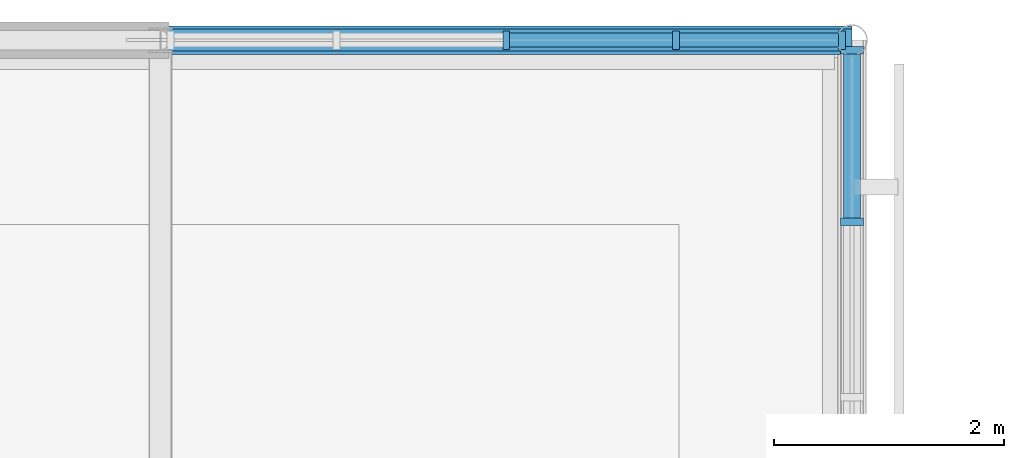
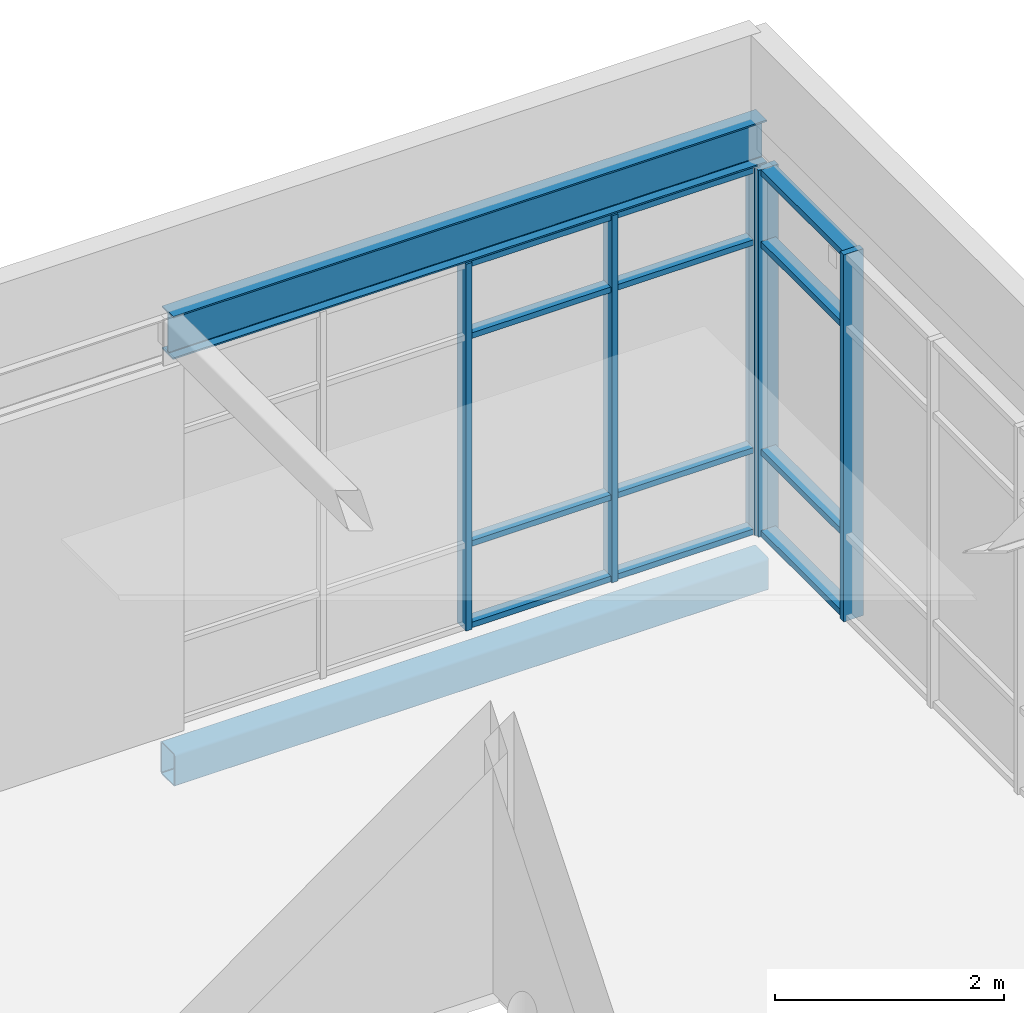
# One storey, part 10 of 16: 17 members, 2 beams, 2 elements without a shape of their own.
"""IFC4 building model written with IfcOpenShell, lengths in metres."""

from ifc_helpers import new_model, si_unit, direction, frame, origin, origin_2d, place, context, subcontext, project, spatial, rectangle, hollow_rectangle, i_section, extrude, material, layer, layer_set, material_profile, profile_set, type_object, element, aggregate, save


model = new_model("IFC4")

# Units and contexts
model_context = context("Model", 3, precision=1e-05, world=origin(), true_north=direction((0.0, 1.0)))
body_context = subcontext(model_context, "Body", "Model", "MODEL_VIEW")
ifc_project = project(units=[si_unit("LENGTHUNIT", "METRE"), si_unit("AREAUNIT", "SQUARE_METRE"), si_unit("VOLUMEUNIT", "CUBIC_METRE"), si_unit("PLANEANGLEUNIT", "RADIAN"), si_unit("MASSUNIT", "GRAM", prefix="KILO")], contexts=[model_context])

# Site, building, storey
site_placement = place(None, origin())
site = spatial("IfcSite", under=ifc_project, at=site_placement, CompositionType="ELEMENT")
building_placement = place(site_placement, origin())
building = spatial("IfcBuilding", under=site, at=building_placement, Name="Mirzam Square Science Centre", CompositionType="ELEMENT")
storey_placement = place(building_placement, frame((0.0, 0.0, 25.199951171875)))
storey = spatial("IfcBuildingStorey", under=building, at=storey_placement, Name="L05", CompositionType="ELEMENT", Elevation=25.199951171875)

# Beam
ifc_material_1 = material(Name="Steel S355", Category="steel")
ifc_material_profile_1 = material_profile(ifc_material_1, i_section(OverallWidth=0.19140625, OverallDepth=0.4599609375, WebThickness=0.010009765625, FlangeThickness=0.01611328125, FilletRadius=0.01025390625, at=origin_2d()), Name="457x191x82UB")
ifc_profile_set_1 = profile_set([ifc_material_profile_1], Name="Steel S355")
beam_type_1 = type_object("IfcBeamType", Name="BM-UB457", PredefinedType="BEAM", material=ifc_profile_set_1)
beam_1_placement = place(storey_placement, frame((132.0, 111.60009765625, 4.179931640625), z_axis=(1.0, 0.0, 0.0), x_axis=(0.0, 1.0, 0.0)))
element("IfcBeam", 1, at=beam_1_placement, inside=storey, type_object=beam_type_1, Name="Observatory roof beam 23-19", PredefinedType="BEAM", context=body_context, shape_type="SweptSolid", body=[
    extrude(i_section(OverallWidth=0.19140625, OverallDepth=0.4599609375, WebThickness=0.010009765625, FlangeThickness=0.01611328125, FilletRadius=0.01025390625, at=origin_2d()), origin(), (0.0, 0.0, 1.0), 6.0),
])

# Curtain wall, members
ifc_material_2 = material(Name="Anodised Aluminium and Low-E Solar Glass", Category="aluminium")
ifc_layer_1 = layer(ifc_material_2, 0.159912109375)
ifc_layer_set_1 = layer_set([ifc_layer_1], Name="CW-COURT-B")
curtain_wall_type_1 = type_object("IfcCurtainWallType", Name="CW-COURT-B", PredefinedType="USERDEFINED", material=ifc_layer_set_1)
curtain_wall_1_placement = place(storey_placement, origin())
curtain_wall_1 = element("IfcCurtainWall", 2, at=curtain_wall_1_placement, inside=storey, type_object=curtain_wall_type_1, Name="L05 unitised curtain wall 170", ObjectType="UNITISED CURTAIN WALL", PredefinedType="USERDEFINED")
ifc_material_3 = material(Name="Anodised Architectural Aluminium 6063-T6", Category="aluminium")
ifc_material_profile_2 = material_profile(ifc_material_3, rectangle(XDim=0.06005859375, YDim=0.159912109375, at=origin_2d()), Name="ALU-MULL-160x60x4")
ifc_profile_set_2 = profile_set([ifc_material_profile_2], Name="Anodised Architectural Aluminium 6063-T6")
member_type_1 = type_object("IfcMemberType", Name="CWM-160", PredefinedType="MULLION", material=ifc_profile_set_2)
member_1_placement = place(storey_placement, frame((137.9150390625, 111.60009765625, 0.0), z_axis=(0.0, 0.0, 1.0), x_axis=(-1.0, 0.0, 0.0)))
member_1 = element("IfcMember", 3, at=member_1_placement, type_object=member_type_1, Name="CW-04 mullion 1", PredefinedType="MULLION", context=body_context, shape_type="SweptSolid", body=[
    extrude(rectangle(XDim=0.06005859375, YDim=0.159912109375, at=origin_2d()), origin(), (0.0, 0.0, 1.0), 3.920166015625),
])
member_2_placement = place(storey_placement, frame((136.472412109375, 111.60009765625, 0.0), z_axis=(0.0, 0.0, 1.0), x_axis=(-1.0, 0.0, 0.0)))
member_2 = element("IfcMember", 4, at=member_2_placement, type_object=member_type_1, Name="CW-04 mullion 2", PredefinedType="MULLION", context=body_context, shape_type="SweptSolid", body=[
    extrude(rectangle(XDim=0.06005859375, YDim=0.159912109375, at=origin_2d()), origin(), (0.0, 0.0, 1.0), 3.920166015625),
])
member_3_placement = place(storey_placement, frame((135.0, 111.60009765625, 0.0), z_axis=(0.0, 0.0, 1.0), x_axis=(-1.0, 0.0, 0.0)))
member_3 = element("IfcMember", 5, at=member_3_placement, type_object=member_type_1, Name="CW-04 mullion 3", PredefinedType="MULLION", context=body_context, shape_type="SweptSolid", body=[
    extrude(rectangle(XDim=0.06005859375, YDim=0.159912109375, at=origin_2d()), origin(), (0.0, 0.0, 1.0), 3.920166015625),
])

ifc_layer_2 = layer(ifc_material_2, 0.179931640625)
ifc_layer_set_2 = layer_set([ifc_layer_2], Name="CW-LINK-A")
curtain_wall_type_2 = type_object("IfcCurtainWallType", Name="CW-LINK-A", PredefinedType="USERDEFINED", material=ifc_layer_set_2)
curtain_wall_2_placement = place(storey_placement, origin())
curtain_wall_2 = element("IfcCurtainWall", 6, at=curtain_wall_2_placement, inside=storey, type_object=curtain_wall_type_2, Name="L05 unitised curtain wall 169", ObjectType="UNITISED CURTAIN WALL", PredefinedType="USERDEFINED")
ifc_material_profile_3 = material_profile(ifc_material_3, rectangle(XDim=0.06494140625, YDim=0.199951171875, at=origin_2d()), Name="ALU-MULL-200x65x5")
ifc_profile_set_3 = profile_set([ifc_material_profile_3], Name="Anodised Architectural Aluminium 6063-T6")
member_type_2 = type_object("IfcMemberType", Name="CWM-200", PredefinedType="MULLION", material=ifc_profile_set_3)
member_4_placement = place(storey_placement, frame((138.0, 110.0224609375, 0.0), z_axis=(0.0, 0.0, 1.0), x_axis=(0.0, 1.0, 0.0)))
member_4 = element("IfcMember", 7, at=member_4_placement, type_object=member_type_2, Name="CW-08 mullion 4", PredefinedType="MULLION", context=body_context, shape_type="SweptSolid", body=[
    extrude(rectangle(XDim=0.06494140625, YDim=0.199951171875, at=origin_2d()), origin(), (0.0, 0.0, 1.0), 3.920166015625),
])
member_5_placement = place(storey_placement, frame((138.0, 111.512451171875, 0.0), z_axis=(0.0, 0.0, 1.0), x_axis=(0.0, 1.0, 0.0)))
member_5 = element("IfcMember", 8, at=member_5_placement, type_object=member_type_2, Name="CW-08 mullion 5", PredefinedType="MULLION", context=body_context, shape_type="SweptSolid", body=[
    extrude(rectangle(XDim=0.06494140625, YDim=0.199951171875, at=origin_2d()), origin(), (0.0, 0.0, 1.0), 3.920166015625),
])

# Member
ifc_material_profile_4 = material_profile(ifc_material_3, rectangle(XDim=0.1201171875, YDim=0.06005859375, at=origin_2d()), Name="ALU-TRAN-120x60x4")
ifc_profile_set_4 = profile_set([ifc_material_profile_4], Name="Anodised Architectural Aluminium 6063-T6")
member_type_3 = type_object("IfcMemberType", Name="CWT-120", PredefinedType="USERDEFINED", material=ifc_profile_set_4)
member_6_placement = place(storey_placement, frame((137.885009765625, 111.60009765625, 0.030029296875), z_axis=(-1.0, 0.0, 0.0), x_axis=(0.0, -1.0, 0.0)))
member_6 = element("IfcMember", 9, at=member_6_placement, type_object=member_type_3, Name="CW-04 transom 1.1", ObjectType="TRANSOM", PredefinedType="USERDEFINED", context=body_context, shape_type="SweptSolid", body=[
    extrude(rectangle(XDim=0.1201171875, YDim=0.06005859375, at=origin_2d()), origin(), (0.0, 0.0, 1.0), 1.382568359375),
])

member_7_placement = place(storey_placement, frame((137.885009765625, 111.60009765625, 0.900146484375), z_axis=(-1.0, 0.0, 0.0), x_axis=(0.0, -1.0, 0.0)))
member_7 = element("IfcMember", 10, at=member_7_placement, type_object=member_type_3, Name="CW-04 transom 1.2", ObjectType="TRANSOM", PredefinedType="USERDEFINED", context=body_context, shape_type="SweptSolid", body=[
    extrude(rectangle(XDim=0.1201171875, YDim=0.06005859375, at=origin_2d()), origin(), (0.0, 0.0, 1.0), 1.382568359375),
])

member_8_placement = place(storey_placement, frame((137.885009765625, 111.60009765625, 3.1201171875), z_axis=(-1.0, 0.0, 0.0), x_axis=(0.0, -1.0, 0.0)))
member_8 = element("IfcMember", 11, at=member_8_placement, type_object=member_type_3, Name="CW-04 transom 1.3", ObjectType="TRANSOM", PredefinedType="USERDEFINED", context=body_context, shape_type="SweptSolid", body=[
    extrude(rectangle(XDim=0.1201171875, YDim=0.06005859375, at=origin_2d()), origin(), (0.0, 0.0, 1.0), 1.382568359375),
])

member_9_placement = place(storey_placement, frame((137.885009765625, 111.60009765625, 3.89013671875), z_axis=(-1.0, 0.0, 0.0), x_axis=(0.0, -1.0, 0.0)))
member_9 = element("IfcMember", 12, at=member_9_placement, type_object=member_type_3, Name="CW-04 transom 1.4", ObjectType="TRANSOM", PredefinedType="USERDEFINED", context=body_context, shape_type="SweptSolid", body=[
    extrude(rectangle(XDim=0.1201171875, YDim=0.06005859375, at=origin_2d()), origin(), (0.0, 0.0, 1.0), 1.382568359375),
])

member_10_placement = place(storey_placement, frame((136.4423828125, 111.60009765625, 0.030029296875), z_axis=(-1.0, 0.0, 0.0), x_axis=(0.0, -1.0, 0.0)))
member_10 = element("IfcMember", 13, at=member_10_placement, type_object=member_type_3, Name="CW-04 transom 2.1", ObjectType="TRANSOM", PredefinedType="USERDEFINED", context=body_context, shape_type="SweptSolid", body=[
    extrude(rectangle(XDim=0.1201171875, YDim=0.06005859375, at=origin_2d()), origin(), (0.0, 0.0, 1.0), 1.412353515625),
])

member_11_placement = place(storey_placement, frame((136.4423828125, 111.60009765625, 0.900146484375), z_axis=(-1.0, 0.0, 0.0), x_axis=(0.0, -1.0, 0.0)))
member_11 = element("IfcMember", 14, at=member_11_placement, type_object=member_type_3, Name="CW-04 transom 2.2", ObjectType="TRANSOM", PredefinedType="USERDEFINED", context=body_context, shape_type="SweptSolid", body=[
    extrude(rectangle(XDim=0.1201171875, YDim=0.06005859375, at=origin_2d()), origin(), (0.0, 0.0, 1.0), 1.412353515625),
])

member_12_placement = place(storey_placement, frame((136.4423828125, 111.60009765625, 3.1201171875), z_axis=(-1.0, 0.0, 0.0), x_axis=(0.0, -1.0, 0.0)))
member_12 = element("IfcMember", 15, at=member_12_placement, type_object=member_type_3, Name="CW-04 transom 2.3", ObjectType="TRANSOM", PredefinedType="USERDEFINED", context=body_context, shape_type="SweptSolid", body=[
    extrude(rectangle(XDim=0.1201171875, YDim=0.06005859375, at=origin_2d()), origin(), (0.0, 0.0, 1.0), 1.412353515625),
])

member_13_placement = place(storey_placement, frame((136.4423828125, 111.60009765625, 3.89013671875), z_axis=(-1.0, 0.0, 0.0), x_axis=(0.0, -1.0, 0.0)))
member_13 = element("IfcMember", 16, at=member_13_placement, type_object=member_type_3, Name="CW-04 transom 2.4", ObjectType="TRANSOM", PredefinedType="USERDEFINED", context=body_context, shape_type="SweptSolid", body=[
    extrude(rectangle(XDim=0.1201171875, YDim=0.06005859375, at=origin_2d()), origin(), (0.0, 0.0, 1.0), 1.412353515625),
])

aggregate(curtain_wall_1, [member_1, member_2, member_3, member_6, member_7, member_8, member_9, member_10, member_11, member_12, member_13])

ifc_material_profile_5 = material_profile(ifc_material_3, rectangle(XDim=0.14990234375, YDim=0.06494140625, at=origin_2d()), Name="ALU-TRAN-150x65x4")
ifc_profile_set_5 = profile_set([ifc_material_profile_5], Name="Anodised Architectural Aluminium 6063-T6")
member_type_4 = type_object("IfcMemberType", Name="CWT-150", PredefinedType="USERDEFINED", material=ifc_profile_set_5)
member_14_placement = place(storey_placement, frame((138.0, 110.054931640625, 0.032470703125), z_axis=(0.0, 1.0, 0.0), x_axis=(-1.0, 0.0, 0.0)))
member_14 = element("IfcMember", 17, at=member_14_placement, type_object=member_type_4, Name="CW-08 transom 4.1", ObjectType="TRANSOM", PredefinedType="USERDEFINED", context=body_context, shape_type="SweptSolid", body=[
    extrude(rectangle(XDim=0.14990234375, YDim=0.06494140625, at=origin_2d()), origin(), (0.0, 0.0, 1.0), 1.425048828125),
])

member_15_placement = place(storey_placement, frame((138.0, 110.054931640625, 0.900146484375), z_axis=(0.0, 1.0, 0.0), x_axis=(-1.0, 0.0, 0.0)))
member_15 = element("IfcMember", 18, at=member_15_placement, type_object=member_type_4, Name="CW-08 transom 4.2", ObjectType="TRANSOM", PredefinedType="USERDEFINED", context=body_context, shape_type="SweptSolid", body=[
    extrude(rectangle(XDim=0.14990234375, YDim=0.06494140625, at=origin_2d()), origin(), (0.0, 0.0, 1.0), 1.425048828125),
])

member_16_placement = place(storey_placement, frame((138.0, 110.054931640625, 3.1201171875), z_axis=(0.0, 1.0, 0.0), x_axis=(-1.0, 0.0, 0.0)))
member_16 = element("IfcMember", 19, at=member_16_placement, type_object=member_type_4, Name="CW-08 transom 4.3", ObjectType="TRANSOM", PredefinedType="USERDEFINED", context=body_context, shape_type="SweptSolid", body=[
    extrude(rectangle(XDim=0.14990234375, YDim=0.06494140625, at=origin_2d()), origin(), (0.0, 0.0, 1.0), 1.425048828125),
])

member_17_placement = place(storey_placement, frame((138.0, 110.054931640625, 3.887451171875), z_axis=(0.0, 1.0, 0.0), x_axis=(-1.0, 0.0, 0.0)))
member_17 = element("IfcMember", 20, at=member_17_placement, type_object=member_type_4, Name="CW-08 transom 4.4", ObjectType="TRANSOM", PredefinedType="USERDEFINED", context=body_context, shape_type="SweptSolid", body=[
    extrude(rectangle(XDim=0.14990234375, YDim=0.06494140625, at=origin_2d()), origin(), (0.0, 0.0, 1.0), 1.425048828125),
])

aggregate(curtain_wall_2, [member_4, member_5, member_14, member_15, member_16, member_17])

# Beam
ifc_material_profile_6 = material_profile(ifc_material_1, hollow_rectangle(XDim=0.25, YDim=0.35009765625, WallThickness=0.012451171875, InnerFilletRadius=0.012451171875, OuterFilletRadius=0.02490234375, at=origin_2d()), Name="350x250x12.5RHS")
ifc_profile_set_6 = profile_set([ifc_material_profile_6], Name="Steel S355")
beam_type_2 = type_object("IfcBeamType", Name="SP-RHS350", PredefinedType="SPANDREL", material=ifc_profile_set_6)
beam_2_placement = place(storey_placement, frame((132.0, 111.60009765625, -0.425048828125), z_axis=(1.0, 0.0, 0.0), x_axis=(0.0, 1.0, 0.0)))
element("IfcBeam", 21, at=beam_2_placement, inside=storey, type_object=beam_type_2, Name="L05 girder X23-19", PredefinedType="SPANDREL", context=body_context, shape_type="SweptSolid", body=[
    extrude(hollow_rectangle(XDim=0.25, YDim=0.35009765625, WallThickness=0.012451171875, InnerFilletRadius=0.012451171875, OuterFilletRadius=0.02490234375, at=origin_2d()), origin(), (0.0, 0.0, 1.0), 6.0),
])

save(model, "model.ifc")
